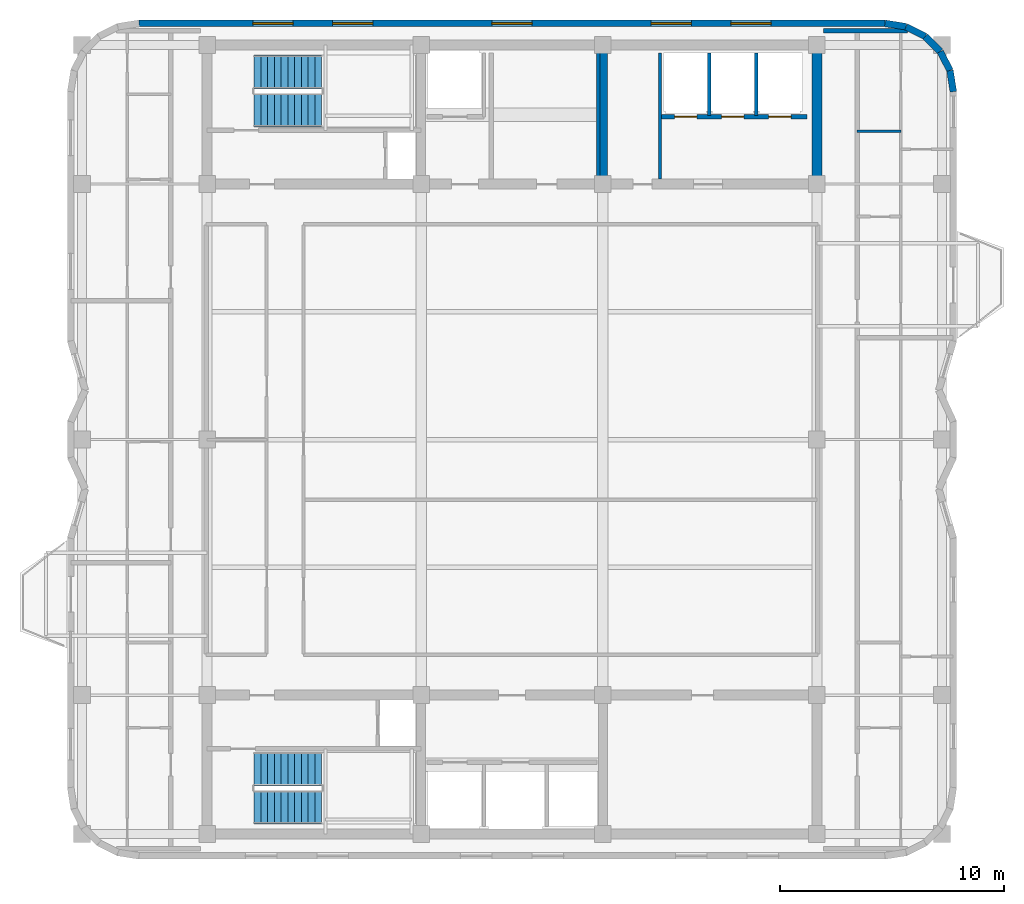
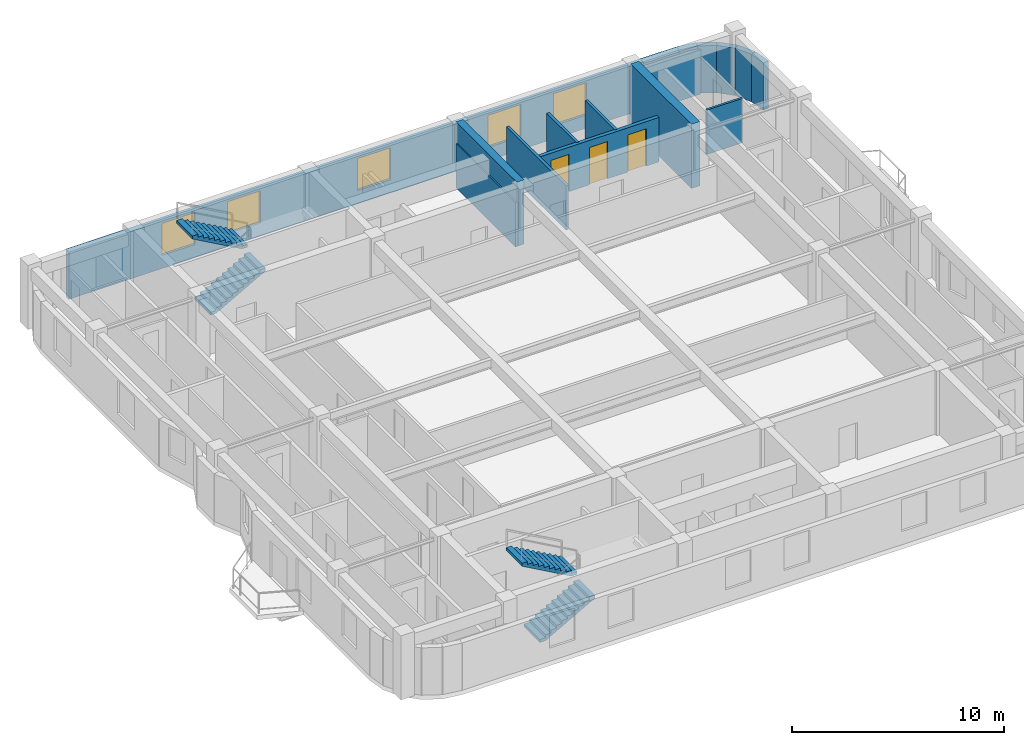
# One storey, part 6 of 8: 15 walls, 5 windows, 4 stair flights, 3 doors, 8 openings, 2 elements without a shape of their own.
"""IFC4 building model written with IfcOpenShell, lengths in metres."""

import ifcopenshell
import ifcopenshell.guid

model = None  # the IFC model being written
_history = None  # IfcOwnerHistory: only IFC2X3 demands one
_inside = {}  # id of a spatial element -> (the spatial element, [elements in it])
_under = {}  # id of a project, library or spatial element -> (it, [spatial elements below it])
_declared = {}  # id of a project -> (the project, [libraries it declares])
_typed = {}  # id of a type object -> (the type object, [elements of that type])
_made_of = {}  # id of a material, layer set ... -> (it, [elements and type objects made of it])


def new_model(schema):
    """Start an empty IFC model of exactly this schema.

    Asked for "IFC4X3", IfcOpenShell would pick the latest addendum, in which some entities
    have other attributes; the version numbers below select the first issue.
    IFC2X3 requires an IfcOwnerHistory on every rooted entity: one is made here for all.
    """
    global model, _history
    if schema == "IFC4X3":
        model = ifcopenshell.file(schema_version=(4, 3, 0, 0))
    else:
        model = ifcopenshell.file(schema=schema)
    _inside.clear()
    _under.clear()
    _declared.clear()
    _typed.clear()
    _made_of.clear()
    _history = None
    if model.schema == "IFC2X3":
        org = make("IfcOrganization", Name="unknown")
        user = make(
            "IfcPersonAndOrganization",
            ThePerson=make("IfcPerson", FamilyName="unknown"),
            TheOrganization=org,
        )
        app = make(
            "IfcApplication",
            ApplicationDeveloper=org,
            Version="unknown",
            ApplicationFullName="unknown",
            ApplicationIdentifier="unknown",
        )
        _history = make(
            "IfcOwnerHistory",
            OwningUser=user,
            OwningApplication=app,
            ChangeAction="ADDED",
            CreationDate=0,
        )
    return model


def make(cls, **values):
    """One entity of the class cls with the attributes given. An attribute that is None is left unset."""
    return model.create_entity(
        cls, **{name: value for name, value in values.items() if value is not None}
    )


def rooted(cls, **values):
    """An entity with a GlobalId (a new one), such as an element, a storey or a relation."""
    return make(cls, GlobalId=ifcopenshell.guid.new(), OwnerHistory=_history, **values)


def si_unit(unit_type, name, prefix=None):
    """IfcSIUnit, for example si_unit("LENGTHUNIT", "METRE", prefix="MILLI")."""
    return make("IfcSIUnit", UnitType=unit_type, Prefix=prefix, Name=name)


def assignment(units):
    """IfcUnitAssignment: the units of a project."""
    return None if units is None else make("IfcUnitAssignment", Units=units)


def point(xyz):
    """IfcCartesianPoint."""
    return None if xyz is None else make("IfcCartesianPoint", Coordinates=xyz)


def direction(xyz):
    """IfcDirection."""
    return None if xyz is None else make("IfcDirection", DirectionRatios=xyz)


def frame(location, z_axis=None, x_axis=None):
    """IfcAxis2Placement3D, a coordinate frame: its origin and axes. An axis left out is left unset."""
    return make(
        "IfcAxis2Placement3D",
        Location=point(location),
        Axis=direction(z_axis),
        RefDirection=direction(x_axis),
    )


def frame_2d(location, x_axis=None):
    """IfcAxis2Placement2D, a coordinate frame in the plane: its origin and x axis."""
    return make(
        "IfcAxis2Placement2D", Location=point(location), RefDirection=direction(x_axis)
    )


def origin():
    """The frame at (0, 0, 0) with its axes left unset."""
    return frame((0.0, 0.0, 0.0))


def place(relative_to, where):
    """IfcLocalPlacement: puts the frame where relative to a parent placement (None: the world)."""
    return make(
        "IfcLocalPlacement", PlacementRelTo=relative_to, RelativePlacement=where
    )


def context(
    kind, dimensions, precision=None, world=None, true_north=None, identifier=None
):
    """IfcGeometricRepresentationContext, for example the 3D "Model" context."""
    return make(
        "IfcGeometricRepresentationContext",
        ContextIdentifier=identifier,
        ContextType=kind,
        CoordinateSpaceDimension=dimensions,
        Precision=precision,
        WorldCoordinateSystem=world,
        TrueNorth=true_north,
    )


def subcontext(parent, identifier, kind, view, scale=None):
    """IfcGeometricRepresentationSubContext, for example "Body" below "Model"."""
    return make(
        "IfcGeometricRepresentationSubContext",
        ContextIdentifier=identifier,
        ContextType=kind,
        ParentContext=parent,
        TargetScale=scale,
        TargetView=view,
    )


def project(units=None, contexts=None):
    """IfcProject with its units and contexts."""
    return rooted(
        "IfcProject",
        Name="project",
        RepresentationContexts=contexts,
        UnitsInContext=assignment(units),
    )


def spatial(cls, under=None, at=None, **own):
    """A site, building, storey or space (cls), placed at a placement, below another one or the project."""
    s = rooted(cls, ObjectPlacement=at, **own)
    if under is not None:
        _under.setdefault(under.id(), (under, []))[1].append(s)
    return s


def polyline(points):
    """IfcPolyline through the points."""
    return make("IfcPolyline", Points=[point(p) for p in points])


def profile(cls, at=None, kind="AREA", **sizes):
    """A parametric profile (cls). Its sizes go by their IFC names, for example OverallWidth=200.0."""
    return make(cls, ProfileType=kind, Position=at, **sizes)


def rectangle(**sizes):
    """IfcRectangleProfileDef."""
    return profile("IfcRectangleProfileDef", **sizes)


def outline(outer, holes=None, kind="AREA"):
    """IfcArbitraryClosedProfileDef: a profile drawn as a closed curve; with holes, ...WithVoids."""
    if holes is None:
        return make("IfcArbitraryClosedProfileDef", ProfileType=kind, OuterCurve=outer)
    return make(
        "IfcArbitraryProfileDefWithVoids",
        ProfileType=kind,
        OuterCurve=outer,
        InnerCurves=holes,
    )


def extrude(swept, where, along, depth):
    """IfcExtrudedAreaSolid: the profile swept, set in the frame where, extruded along a direction by depth."""
    return make(
        "IfcExtrudedAreaSolid",
        SweptArea=swept,
        Position=where,
        ExtrudedDirection=direction(along),
        Depth=depth,
    )


def shape(context_of_items, identifier, shape_type, items):
    """IfcShapeRepresentation: the items that make up one representation, for example the "Body"."""
    return make(
        "IfcShapeRepresentation",
        ContextOfItems=context_of_items,
        RepresentationIdentifier=identifier,
        RepresentationType=shape_type,
        Items=items,
    )


def material(Name=None, Category=None):
    """IfcMaterial."""
    return make("IfcMaterial", Name=Name, Category=Category)


def layer(
    of_material, thickness, ventilated=None, Name=None, Category=None, Priority=None
):
    """IfcMaterialLayer: one layer of a wall or slab, of a material (None: an air gap)."""
    return make(
        "IfcMaterialLayer",
        Material=of_material,
        LayerThickness=thickness,
        IsVentilated=ventilated,
        Name=Name,
        Category=Category,
        Priority=Priority,
    )


def layer_set(layers, Name=None):
    """IfcMaterialLayerSet."""
    return make("IfcMaterialLayerSet", MaterialLayers=layers, LayerSetName=Name)


def made_of(thing, what):
    """Note that an element or type object is made of a material, layer set ...; save() writes the relation."""
    if what is not None:
        _made_of.setdefault(what.id(), (what, []))[1].append(thing)
    return thing


def type_object(cls, material=None, **own):
    """A type object (cls), such as IfcWallType, which elements share."""
    return made_of(rooted(cls, **own), material)


def element(
    cls,
    number,
    at=None,
    inside=None,
    cuts=None,
    type_object=None,
    material=None,
    context=None,
    identifier="Body",
    shape_type=None,
    held_by="IfcProductDefinitionShape",
    body=None,
    shapes=None,
    **own,
):
    """One element of the class cls, such as IfcWall. Its Tag is "e" and its number.

    at: its placement. inside: the storey or other place that contains it. cuts: it is an
    opening in that element (IfcRelVoidsElement). A single representation is given by context,
    identifier, shape_type and body (its items); several are given by shapes. held_by: the class
    of the entity that holds the representations. save() writes the other relations.
    """
    e = rooted(cls, Tag="e%d" % number, ObjectPlacement=at, **own)
    if body is not None:
        shapes = [shape(context, identifier, shape_type, body)]
    if shapes is not None:
        e.Representation = make(held_by, Representations=shapes)
    if inside is not None:
        _inside.setdefault(inside.id(), (inside, []))[1].append(e)
    if cuts is not None:
        rooted(
            "IfcRelVoidsElement", RelatingBuildingElement=cuts, RelatedOpeningElement=e
        )
    if type_object is not None:
        _typed.setdefault(type_object.id(), (type_object, []))[1].append(e)
    return made_of(e, material)


def fill(opening, filler):
    """IfcRelFillsElement: the door or window that sits in an opening."""
    return rooted(
        "IfcRelFillsElement",
        RelatingOpeningElement=opening,
        RelatedBuildingElement=filler,
    )


def aggregate(whole, parts):
    """IfcRelAggregates: a whole, such as a stair, and the parts it consists of."""
    return rooted("IfcRelAggregates", RelatingObject=whole, RelatedObjects=parts)


def save(model, path):
    """Write the relations noted so far, then the file.

    IfcRelAggregates (storeys below a building ...), IfcRelContainedInSpatialStructure (elements
    in a storey), IfcRelDefinesByType, IfcRelAssociatesMaterial and IfcRelDeclares: one each for
    every whole, place, type object, material and project.
    """
    for whole, parts in _under.values():
        aggregate(whole, parts)
    for where, things in _inside.values():
        rooted(
            "IfcRelContainedInSpatialStructure",
            RelatedElements=things,
            RelatingStructure=where,
        )
    for kind, things in _typed.values():
        rooted("IfcRelDefinesByType", RelatedObjects=things, RelatingType=kind)
    for what, things in _made_of.values():
        rooted("IfcRelAssociatesMaterial", RelatedObjects=things, RelatingMaterial=what)
    for by, libraries in _declared.values():
        rooted("IfcRelDeclares", RelatingContext=by, RelatedDefinitions=libraries)
    model.write(path)


model = new_model("IFC4")

# Units and contexts
model_context = context("Model", 3, precision=1e-05, world=origin(), true_north=direction((0.0, 1.0)))
body_context = subcontext(model_context, "Body", "Model", "MODEL_VIEW")
ifc_project = project(units=[si_unit("LENGTHUNIT", "METRE"), si_unit("AREAUNIT", "SQUARE_METRE"), si_unit("VOLUMEUNIT", "CUBIC_METRE"), si_unit("PLANEANGLEUNIT", "RADIAN"), si_unit("MASSUNIT", "GRAM", prefix="KILO")], contexts=[model_context])

# Site, building, storey
site_placement = place(None, origin())
site = spatial("IfcSite", under=ifc_project, at=site_placement, CompositionType="ELEMENT")
building_placement = place(site_placement, origin())
building = spatial("IfcBuilding", under=site, at=building_placement, Name="Svetorya Sky Lyceum", CompositionType="ELEMENT")
storey_placement = place(building_placement, frame((0.0, 0.0, 286.10009765625)))
storey = spatial("IfcBuildingStorey", under=building, at=storey_placement, Name="L72", CompositionType="ELEMENT", Elevation=286.10009765625)

# Walls
ifc_material_1 = material(Name="Concrete C40/50", Category="concrete")
ifc_layer_1 = layer(ifc_material_1, 0.39990234375)
ifc_layer_set_1 = layer_set([ifc_layer_1], Name="Concrete C40/50")
wall_type_1 = type_object("IfcWallType", Name="WL-CORE-400", PredefinedType="SHEAR", material=ifc_layer_set_1)
wall_1_placement = place(storey_placement, frame((43.25, 39.824951171875, 0.0), z_axis=(0.0, 0.0, 1.0), x_axis=(0.0, 1.0, 0.0)))
element("IfcWall", 1, at=wall_1_placement, inside=storey, type_object=wall_type_1, Name="L72 NC Internal Shear Web WEB2", PredefinedType="SHEAR", context=body_context, shape_type="SweptSolid", body=[
    extrude(rectangle(XDim=5.75, YDim=0.39990234375, at=frame_2d((2.875, 0.0))), origin(), (0.0, 0.0, 1.0), 3.699951171875),
])
ifc_material_2 = material(Name="Concrete C50/60", Category="concrete")
ifc_layer_2 = layer(ifc_material_2, 0.449951171875)
ifc_layer_set_2 = layer_set([ifc_layer_2], Name="Concrete C50/60")
wall_type_2 = type_object("IfcWallType", Name="WL-CORE-450", PredefinedType="SHEAR", material=ifc_layer_set_2)
wall_2_placement = place(storey_placement, frame((52.800048828125, 39.824951171875, 0.0), z_axis=(0.0, 0.0, 1.0), x_axis=(0.0, 1.0, 0.0)))
element("IfcWall", 2, at=wall_2_placement, inside=storey, type_object=wall_type_2, Name="L72 NC East Core Shear Wall", PredefinedType="SHEAR", context=body_context, shape_type="SweptSolid", body=[
    extrude(rectangle(XDim=5.75, YDim=0.449951171875, at=frame_2d((2.875, 0.0))), origin(), (0.0, 0.0, 1.0), 3.699951171875),
])
ifc_material_3 = material(Name="Putilovo limestone rainscreen on autoclaved cellular masonry", Category="masonry")
ifc_layer_3 = layer(ifc_material_3, 0.300048828125)
ifc_layer_set_3 = layer_set([ifc_layer_3], Name="Putilovo limestone rainscreen on autoclaved cellular masonry")
wall_type_3 = type_object("IfcWallType", Name="WL-EXT-300", PredefinedType="SOLIDWALL", material=ifc_layer_set_3)
wall_3_placement = place(storey_placement, frame((58.889892578125, 43.719970703125, 0.0), z_axis=(0.0, 0.0, 1.0), x_axis=(-0.156304114255, 0.987708977314, 0.0)))
element("IfcWall", 3, at=wall_3_placement, inside=storey, type_object=wall_type_3, Name="L72 Limestone Exterior Wall 19M", PredefinedType="SOLIDWALL", context=body_context, shape_type="SweptSolid", body=[
    extrude(rectangle(XDim=0.954345703125, YDim=0.300048828125, at=frame_2d((0.47705078125, 0.0))), origin(), (0.0, 0.0, 1.0), 2.72998046875),
])
wall_4_placement = place(storey_placement, frame((58.74072265625, 44.66259765625, 0.0), z_axis=(0.0, 0.0, 1.0), x_axis=(-0.45395644796, 0.891023873617, 0.0)))
element("IfcWall", 4, at=wall_4_placement, inside=storey, type_object=wall_type_3, Name="L72 Limestone Exterior Wall 20M", PredefinedType="SOLIDWALL", context=body_context, shape_type="SweptSolid", body=[
    extrude(rectangle(XDim=0.9541015625, YDim=0.300048828125, at=frame_2d((0.47705078125, 0.0))), origin(), (0.0, 0.0, 1.0), 2.72998046875),
])
for number, where, z_axis, x_axis, name in (
    (5, (58.3076171875, 45.5126953125, 0.0), (0.0, 0.0, 1.0), (-0.707106781187, 0.707106781187, 0.0), "L72 Limestone Exterior Wall 21M"),
    (6, (57.6328125, 46.1875, 0.0), (0.0, 0.0, 1.0), (-0.891076589373, 0.453852962833, 0.0), "L72 Limestone Exterior Wall 22M"),
):
    element("IfcWall", number, at=place(storey_placement, frame(where, z_axis=z_axis, x_axis=x_axis)), inside=storey, type_object=wall_type_3, Name=name, PredefinedType="SOLIDWALL", context=body_context, shape_type="SweptSolid", body=[
        extrude(rectangle(XDim=0.954345703125, YDim=0.300048828125, at=frame_2d((0.47705078125, 0.0))), origin(), (0.0, 0.0, 1.0), 2.72998046875),
    ])
wall_5_placement = place(storey_placement, frame((56.782470703125, 46.62060546875, 0.0), z_axis=(0.0, 0.0, 1.0), x_axis=(-0.987663181641, 0.156593229835, 0.0)))
element("IfcWall", 7, at=wall_5_placement, inside=storey, type_object=wall_type_3, Name="L72 Limestone Exterior Wall 23M", PredefinedType="SOLIDWALL", context=body_context, shape_type="SweptSolid", body=[
    extrude(rectangle(XDim=0.9541015625, YDim=0.300048828125, at=frame_2d((0.47705078125, 0.0))), origin(), (0.0, 0.0, 1.0), 2.72998046875),
])

# Wall, openings, windows
wall_6_placement = place(storey_placement, frame((55.840087890625, 46.77001953125, 0.0), z_axis=(0.0, 0.0, 1.0), x_axis=(-1.0, 0.0, 0.0)))
wall_6 = element("IfcWall", 8, at=wall_6_placement, inside=storey, type_object=wall_type_3, Name="L72 Limestone Exterior Wall 24M", PredefinedType="SOLIDWALL", context=body_context, shape_type="SweptSolid", body=[
    extrude(rectangle(XDim=33.280029296875, YDim=0.300048828125, at=frame_2d((16.64013671875, 0.0))), origin(), (0.0, 0.0, 1.0), 2.72998046875),
])
opening_1_placement = place(wall_6_placement, frame((5.080078125, 0.0, 0.760009765625)))
opening_1 = element("IfcOpeningElement", 9, at=opening_1_placement, cuts=wall_6, Name="Opening W-R1", PredefinedType="OPENING", context=body_context, shape_type="SweptSolid", body=[
    extrude(rectangle(XDim=1.800048828125, YDim=1.85009765625, at=frame_2d((0.89990234375, 0.925048828125))), frame((0.0, 0.159912109375, 0.0), z_axis=(0.0, -1.0, 0.0), x_axis=(1.0, 0.0, 0.0)), (0.0, 0.0, 1.0), 0.320068359375),
])
opening_2_placement = place(wall_6_placement, frame((8.63330078125, 0.0, 0.760009765625)))
opening_2 = element("IfcOpeningElement", 10, at=opening_2_placement, cuts=wall_6, Name="Opening W-R1", PredefinedType="OPENING", context=body_context, shape_type="SweptSolid", body=[
    extrude(rectangle(XDim=1.800048828125, YDim=1.85009765625, at=frame_2d((0.89990234375, 0.925048828125))), frame((0.0, 0.159912109375, 0.0), z_axis=(0.0, -1.0, 0.0), x_axis=(1.0, 0.0, 0.0)), (0.0, 0.0, 1.0), 0.320068359375),
])
opening_3_placement = place(wall_6_placement, frame((15.739990234375, 0.0, 0.760009765625)))
opening_3 = element("IfcOpeningElement", 11, at=opening_3_placement, cuts=wall_6, Name="Opening W-R1", PredefinedType="OPENING", context=body_context, shape_type="SweptSolid", body=[
    extrude(rectangle(XDim=1.800048828125, YDim=1.85009765625, at=frame_2d((0.89990234375, 0.925048828125))), frame((0.0, 0.159912109375, 0.0), z_axis=(0.0, -1.0, 0.0), x_axis=(1.0, 0.0, 0.0)), (0.0, 0.0, 1.0), 0.320068359375),
])
opening_4_placement = place(wall_6_placement, frame((22.8466796875, 0.0, 0.760009765625)))
opening_4 = element("IfcOpeningElement", 12, at=opening_4_placement, cuts=wall_6, Name="Opening W-R1", PredefinedType="OPENING", context=body_context, shape_type="SweptSolid", body=[
    extrude(rectangle(XDim=1.800048828125, YDim=1.85009765625, at=frame_2d((0.89990234375, 0.925048828125))), frame((0.0, 0.159912109375, 0.0), z_axis=(0.0, -1.0, 0.0), x_axis=(1.0, 0.0, 0.0)), (0.0, 0.0, 1.0), 0.320068359375),
])
opening_5_placement = place(wall_6_placement, frame((26.39990234375, 0.0, 0.760009765625)))
opening_5 = element("IfcOpeningElement", 13, at=opening_5_placement, cuts=wall_6, Name="Opening W-R1", PredefinedType="OPENING", context=body_context, shape_type="SweptSolid", body=[
    extrude(rectangle(XDim=1.800048828125, YDim=1.85009765625, at=frame_2d((0.89990234375, 0.925048828125))), frame((0.0, 0.159912109375, 0.0), z_axis=(0.0, -1.0, 0.0), x_axis=(1.0, 0.0, 0.0)), (0.0, 0.0, 1.0), 0.320068359375),
])
ifc_material_4 = material(Name="Thermally broken aluminium frame with triple low-E glazing", Category="aluminium")
window_type = type_object("IfcWindowType", Name="WN-RES-180", PartitioningType="DOUBLE_PANEL_VERTICAL", PredefinedType="WINDOW", material=ifc_material_4)
window_1_placement = place(opening_1_placement, origin())
window_1 = element("IfcWindow", 14, at=window_1_placement, inside=storey, type_object=window_type, Name="L72 Facade Window W-R1.24M.1", OverallHeight=1.85009765625, OverallWidth=1.800048828125, PartitioningType="SINGLE_PANEL", PredefinedType="WINDOW", context=body_context, shape_type="SweptSolid", body=[
    extrude(rectangle(XDim=1.800048828125, YDim=1.85009765625, at=frame_2d((0.89990234375, 0.925048828125))), frame((0.0, 0.030029296875, 0.0), z_axis=(0.0, -1.0, 0.0), x_axis=(1.0, 0.0, 0.0)), (0.0, 0.0, 1.0), 0.06005859375),
])
fill(opening_1, window_1)
window_2_placement = place(opening_2_placement, origin())
window_2 = element("IfcWindow", 15, at=window_2_placement, inside=storey, type_object=window_type, Name="L72 Facade Window W-R1.24M.2", OverallHeight=1.85009765625, OverallWidth=1.800048828125, PartitioningType="SINGLE_PANEL", PredefinedType="WINDOW", context=body_context, shape_type="SweptSolid", body=[
    extrude(rectangle(XDim=1.800048828125, YDim=1.85009765625, at=frame_2d((0.89990234375, 0.925048828125))), frame((0.0, 0.030029296875, 0.0), z_axis=(0.0, -1.0, 0.0), x_axis=(1.0, 0.0, 0.0)), (0.0, 0.0, 1.0), 0.06005859375),
])
fill(opening_2, window_2)
window_3_placement = place(opening_3_placement, origin())
window_3 = element("IfcWindow", 16, at=window_3_placement, inside=storey, type_object=window_type, Name="L72 Facade Window W-R1.24M.3", OverallHeight=1.85009765625, OverallWidth=1.800048828125, PartitioningType="SINGLE_PANEL", PredefinedType="WINDOW", context=body_context, shape_type="SweptSolid", body=[
    extrude(rectangle(XDim=1.800048828125, YDim=1.85009765625, at=frame_2d((0.89990234375, 0.925048828125))), frame((0.0, 0.030029296875, 0.0), z_axis=(0.0, -1.0, 0.0), x_axis=(1.0, 0.0, 0.0)), (0.0, 0.0, 1.0), 0.06005859375),
])
fill(opening_3, window_3)
window_4_placement = place(opening_4_placement, origin())
window_4 = element("IfcWindow", 17, at=window_4_placement, inside=storey, type_object=window_type, Name="L72 Facade Window W-R1.24M.4", OverallHeight=1.85009765625, OverallWidth=1.800048828125, PartitioningType="SINGLE_PANEL", PredefinedType="WINDOW", context=body_context, shape_type="SweptSolid", body=[
    extrude(rectangle(XDim=1.800048828125, YDim=1.85009765625, at=frame_2d((0.89990234375, 0.925048828125))), frame((0.0, 0.030029296875, 0.0), z_axis=(0.0, -1.0, 0.0), x_axis=(1.0, 0.0, 0.0)), (0.0, 0.0, 1.0), 0.06005859375),
])
fill(opening_4, window_4)
window_5_placement = place(opening_5_placement, origin())
window_5 = element("IfcWindow", 18, at=window_5_placement, inside=storey, type_object=window_type, Name="L72 Facade Window W-R1.24M.5", OverallHeight=1.85009765625, OverallWidth=1.800048828125, PartitioningType="SINGLE_PANEL", PredefinedType="WINDOW", context=body_context, shape_type="SweptSolid", body=[
    extrude(rectangle(XDim=1.800048828125, YDim=1.85009765625, at=frame_2d((0.89990234375, 0.925048828125))), frame((0.0, 0.030029296875, 0.0), z_axis=(0.0, -1.0, 0.0), x_axis=(1.0, 0.0, 0.0)), (0.0, 0.0, 1.0), 0.06005859375),
])
fill(opening_5, window_5)

# Walls
ifc_material_5 = material(Name="Twin-stud galvanized framing with double fireboard", Category="gypsum")
ifc_layer_4 = layer(ifc_material_5, 0.1201171875)
ifc_layer_set_4 = layer_set([ifc_layer_4], Name="Twin-stud galvanized framing with double fireboard")
wall_type_4 = type_object("IfcWallType", Name="WL-PART-120", PredefinedType="PARTITIONING", material=ifc_layer_set_4)
wall_7_placement = place(storey_placement, frame((54.60009765625, 41.949951171875, 0.0), z_axis=(0.0, 0.0, 1.0), x_axis=(1.0, 0.0, 0.0)))
element("IfcWall", 19, at=wall_7_placement, inside=storey, type_object=wall_type_4, Name="L72 Interior Partition E2-WH2", PredefinedType="PARTITIONING", context=body_context, shape_type="SweptSolid", body=[
    extrude(rectangle(XDim=1.949951171875, YDim=0.1201171875, at=frame_2d((0.97509765625, 0.0))), origin(), (0.0, 0.0, 1.0), 2.559814453125),
])
ifc_material_6 = material(Name="Autoclaved cellular masonry blockwork with acoustic render", Category="masonry")
ifc_layer_5 = layer(ifc_material_6, 0.14990234375)
ifc_layer_set_5 = layer_set([ifc_layer_5], Name="Autoclaved cellular masonry blockwork with acoustic render")
wall_type_5 = type_object("IfcWallType", Name="WL-PART-150", PredefinedType="PARTITIONING", material=ifc_layer_set_5)
for number, where, z_axis, x_axis, name in (
    (20, (43.050048828125, 39.820068359375, 0.0), (0.0, 0.0, 1.0), (0.0, 1.0, 0.0), "L72 Interior Partition NC-FPM-END"),
    (21, (45.800048828125, 39.820068359375, 0.0), (0.0, 0.0, 1.0), (0.0, 1.0, 0.0), "L72 Interior Partition NC-PM3-FULL"),
):
    element("IfcWall", number, at=place(storey_placement, frame(where, z_axis=z_axis, x_axis=x_axis)), inside=storey, type_object=wall_type_5, Name=name, PredefinedType="PARTITIONING", context=body_context, shape_type="SweptSolid", body=[
        extrude(rectangle(XDim=5.6298828125, YDim=0.14990234375, at=frame_2d((2.81494140625, 0.0))), origin(), (0.0, 0.0, 1.0), 2.559814453125),
    ])
for number, where, z_axis, x_axis, name in (
    (22, (48.0, 42.64990234375, 0.0), (0.0, 0.0, 1.0), (0.0, 1.0, 0.0), "L72 Interior Partition NC-PH-D1"),
    (23, (50.10009765625, 42.64990234375, 0.0), (0.0, 0.0, 1.0), (0.0, 1.0, 0.0), "L72 Interior Partition NC-PH-D2"),
):
    element("IfcWall", number, at=place(storey_placement, frame(where, z_axis=z_axis, x_axis=x_axis)), inside=storey, type_object=wall_type_5, Name=name, PredefinedType="PARTITIONING", context=body_context, shape_type="SweptSolid", body=[
        extrude(rectangle(XDim=2.800048828125, YDim=0.14990234375, at=frame_2d((1.39990234375, 0.0))), origin(), (0.0, 0.0, 1.0), 2.559814453125),
    ])

# Wall, openings, doors
ifc_material_7 = material(Name="Autoclaved cellular masonry blockwork with gypsum plaster", Category="masonry")
ifc_layer_6 = layer(ifc_material_7, 0.199951171875)
ifc_layer_set_6 = layer_set([ifc_layer_6], Name="Autoclaved cellular masonry blockwork with gypsum plaster")
wall_type_6 = type_object("IfcWallType", Name="WL-PART-200", PredefinedType="PARTITIONING", material=ifc_layer_set_6)
wall_8_placement = place(storey_placement, frame((52.35009765625, 42.60009765625, 0.0), z_axis=(0.0, 0.0, 1.0), x_axis=(-1.0, 0.0, 0.0)))
wall_8 = element("IfcWall", 24, at=wall_8_placement, inside=storey, type_object=wall_type_6, Name="L72 Interior Partition NC-PHEW", PredefinedType="PARTITIONING", context=body_context, shape_type="SweptSolid", body=[
    extrude(rectangle(XDim=6.5, YDim=0.199951171875, at=frame_2d((3.25, 0.0))), origin(), (0.0, 0.0, 1.0), 2.559814453125),
])
opening_6_placement = place(wall_8_placement, frame((4.89990234375, 0.0, 0.0)))
opening_6 = element("IfcOpeningElement", 25, at=opening_6_placement, cuts=wall_8, Name="Opening LD-P1", PredefinedType="OPENING", context=body_context, shape_type="SweptSolid", body=[
    extrude(rectangle(XDim=1.0, YDim=2.14990234375, at=frame_2d((0.5, 1.074951171875))), frame((0.0, 0.10986328125, 0.0), z_axis=(0.0, -1.0, 0.0), x_axis=(1.0, 0.0, 0.0)), (0.0, 0.0, 1.0), 0.219970703125),
])
opening_7_placement = place(wall_8_placement, frame((2.800048828125, 0.0, 0.0)))
opening_7 = element("IfcOpeningElement", 26, at=opening_7_placement, cuts=wall_8, Name="Opening LD-P1", PredefinedType="OPENING", context=body_context, shape_type="SweptSolid", body=[
    extrude(rectangle(XDim=1.0, YDim=2.14990234375, at=frame_2d((0.5, 1.074951171875))), frame((0.0, 0.10986328125, 0.0), z_axis=(0.0, -1.0, 0.0), x_axis=(1.0, 0.0, 0.0)), (0.0, 0.0, 1.0), 0.219970703125),
])
opening_8_placement = place(wall_8_placement, frame((0.699951171875, 0.0, 0.0)))
opening_8 = element("IfcOpeningElement", 27, at=opening_8_placement, cuts=wall_8, Name="Opening LD-P1", PredefinedType="OPENING", context=body_context, shape_type="SweptSolid", body=[
    extrude(rectangle(XDim=1.0, YDim=2.14990234375, at=frame_2d((0.5, 1.074951171875))), frame((0.0, 0.10986328125, 0.0), z_axis=(0.0, -1.0, 0.0), x_axis=(1.0, 0.0, 0.0)), (0.0, 0.0, 1.0), 0.219970703125),
])
ifc_material_8 = material(Name="Champagne-anodized stainless passenger lift landing door")
door_type = type_object("IfcDoorType", Name="DR-LIFT-1000", OperationType="SLIDING_TO_LEFT", PredefinedType="DOOR", material=ifc_material_8)
door_1_placement = place(opening_6_placement, origin())
door_1 = element("IfcDoor", 28, at=door_1_placement, inside=storey, type_object=door_type, Name="L72 Passenger Lift PH1 Landing Door", OperationType="SLIDING_TO_LEFT", OverallHeight=2.14990234375, OverallWidth=1.0, PredefinedType="DOOR", context=body_context, shape_type="SweptSolid", body=[
    extrude(rectangle(XDim=1.0, YDim=2.14990234375, at=frame_2d((0.5, 1.074951171875))), frame((0.0, 0.02490234375, 0.0), z_axis=(0.0, -1.0, 0.0), x_axis=(1.0, 0.0, 0.0)), (0.0, 0.0, 1.0), 0.050048828125),
])
fill(opening_6, door_1)
door_2_placement = place(opening_7_placement, origin())
door_2 = element("IfcDoor", 29, at=door_2_placement, inside=storey, type_object=door_type, Name="L72 Passenger Lift PH2 Landing Door", OperationType="SLIDING_TO_LEFT", OverallHeight=2.14990234375, OverallWidth=1.0, PredefinedType="DOOR", context=body_context, shape_type="SweptSolid", body=[
    extrude(rectangle(XDim=1.0, YDim=2.14990234375, at=frame_2d((0.5, 1.074951171875))), frame((0.0, 0.02490234375, 0.0), z_axis=(0.0, -1.0, 0.0), x_axis=(1.0, 0.0, 0.0)), (0.0, 0.0, 1.0), 0.050048828125),
])
fill(opening_7, door_2)
door_3_placement = place(opening_8_placement, origin())
door_3 = element("IfcDoor", 30, at=door_3_placement, inside=storey, type_object=door_type, Name="L72 Passenger Lift PH3 Landing Door", OperationType="SLIDING_TO_LEFT", OverallHeight=2.14990234375, OverallWidth=1.0, PredefinedType="DOOR", context=body_context, shape_type="SweptSolid", body=[
    extrude(rectangle(XDim=1.0, YDim=2.14990234375, at=frame_2d((0.5, 1.074951171875))), frame((0.0, 0.02490234375, 0.0), z_axis=(0.0, -1.0, 0.0), x_axis=(1.0, 0.0, 0.0)), (0.0, 0.0, 1.0), 0.050048828125),
])
fill(opening_8, door_3)

# Wall
wall_9_placement = place(storey_placement, frame((53.10009765625, 46.449951171875, 0.0), z_axis=(0.0, 0.0, 1.0), x_axis=(1.0, 0.0, 0.0)))
element("IfcWall", 31, at=wall_9_placement, inside=storey, type_object=wall_type_6, Name="L72 Interior Partition E-CAP-N", PredefinedType="PARTITIONING", context=body_context, shape_type="SweptSolid", body=[
    extrude(rectangle(XDim=3.75390625, YDim=0.199951171875, at=frame_2d((1.876953125, 0.0))), origin(), (0.0, 0.0, 1.0), 2.559814453125),
])

# Stair, stair flights
stair_type_1 = type_object("IfcStairType", Name="STR-ST-N", PredefinedType="HALF_TURN_STAIR", material=ifc_material_1)
stair_1_placement = place(storey_placement, origin())
stair_1 = element("IfcStair", 32, at=stair_1_placement, inside=storey, type_object=stair_type_1, Name="L72 North Core Smoke-Free Exit Stair N3", PredefinedType="HALF_TURN_STAIR")
stair_flight_type_1 = type_object("IfcStairFlightType", Name="SFL-ST-N", PredefinedType="STRAIGHT", material=ifc_material_1)
stair_flight_1_placement = place(storey_placement, frame((27.699951171875, 42.89990234375, 0.0), z_axis=(0.0, 0.0, 1.0), x_axis=(1.0, 0.0, 0.0)))
stair_flight_1 = element("IfcStairFlight", 33, at=stair_flight_1_placement, type_object=stair_flight_type_1, Name="ST-N flight 1", NumberOfRisers=11, NumberOfTreads=10, PredefinedType="STRAIGHT", RiserHeight=0.168181818, TreadLength=0.3, context=body_context, shape_type="SweptSolid", body=[
    extrude(outline(polyline([(0.0, 0.0), (0.0, 0.168212890625), (0.300048828125, 0.168212890625), (0.300048828125, 0.33642578125), (0.60009765625, 0.33642578125), (0.60009765625, 0.504638671875), (0.89990234375, 0.504638671875), (0.89990234375, 0.672607421875), (1.199951171875, 0.672607421875), (1.199951171875, 0.8408203125), (1.5, 0.8408203125), (1.5, 1.009033203125), (1.800048828125, 1.009033203125), (1.800048828125, 1.17724609375), (2.10009765625, 1.17724609375), (2.10009765625, 1.345458984375), (2.39990234375, 1.345458984375), (2.39990234375, 1.513671875), (2.699951171875, 1.513671875), (2.699951171875, 1.681884765625), (3.0, 1.681884765625), (3.0, 1.85009765625), (3.0, 1.510009765625), (0.306640625, 0.0), (0.0, 0.0)])), frame((0.0, 0.75, 0.0), z_axis=(0.0, -1.0, 0.0), x_axis=(1.0, 0.0, 0.0)), (0.0, 0.0, 1.0), 1.5),
])
stair_flight_2_placement = place(storey_placement, frame((30.699951171875, 44.60009765625, 1.849853515625), z_axis=(0.0, 0.0, 1.0), x_axis=(-1.0, 0.0, 0.0)))
stair_flight_2 = element("IfcStairFlight", 34, at=stair_flight_2_placement, type_object=stair_flight_type_1, Name="ST-N flight 2", NumberOfRisers=11, NumberOfTreads=10, PredefinedType="STRAIGHT", RiserHeight=0.168181818, TreadLength=0.3, context=body_context, shape_type="SweptSolid", body=[
    extrude(outline(polyline([(0.0, 0.0), (0.0, 0.168212890625), (0.300048828125, 0.168212890625), (0.300048828125, 0.33642578125), (0.60009765625, 0.33642578125), (0.60009765625, 0.504638671875), (0.89990234375, 0.504638671875), (0.89990234375, 0.672607421875), (1.199951171875, 0.672607421875), (1.199951171875, 0.8408203125), (1.5, 0.8408203125), (1.5, 1.009033203125), (1.800048828125, 1.009033203125), (1.800048828125, 1.17724609375), (2.10009765625, 1.17724609375), (2.10009765625, 1.345458984375), (2.39990234375, 1.345458984375), (2.39990234375, 1.513671875), (2.699951171875, 1.513671875), (2.699951171875, 1.681884765625), (3.0, 1.681884765625), (3.0, 1.85009765625), (3.0, 1.510009765625), (0.306640625, 0.0), (0.0, 0.0)])), frame((0.0, 0.75, 0.0), z_axis=(0.0, -1.0, 0.0), x_axis=(1.0, 0.0, 0.0)), (0.0, 0.0, 1.0), 1.5),
])
aggregate(stair_1, [stair_flight_1, stair_flight_2])

stair_type_2 = type_object("IfcStairType", Name="STR-ST-S", PredefinedType="HALF_TURN_STAIR", material=ifc_material_1)
stair_2_placement = place(storey_placement, origin())
stair_2 = element("IfcStair", 35, at=stair_2_placement, inside=storey, type_object=stair_type_2, Name="L72 South Core Smoke-Free Exit Stair N2", PredefinedType="HALF_TURN_STAIR")
stair_flight_type_2 = type_object("IfcStairFlightType", Name="SFL-ST-S", PredefinedType="STRAIGHT", material=ifc_material_1)
stair_flight_3_placement = place(storey_placement, frame((27.699951171875, 11.800048828125, 0.0), z_axis=(0.0, 0.0, 1.0), x_axis=(1.0, 0.0, 0.0)))
stair_flight_3 = element("IfcStairFlight", 36, at=stair_flight_3_placement, type_object=stair_flight_type_2, Name="ST-S flight 1", NumberOfRisers=11, NumberOfTreads=10, PredefinedType="STRAIGHT", RiserHeight=0.168181818, TreadLength=0.3, context=body_context, shape_type="SweptSolid", body=[
    extrude(outline(polyline([(0.0, 0.0), (0.0, 0.168212890625), (0.300048828125, 0.168212890625), (0.300048828125, 0.33642578125), (0.60009765625, 0.33642578125), (0.60009765625, 0.504638671875), (0.89990234375, 0.504638671875), (0.89990234375, 0.672607421875), (1.199951171875, 0.672607421875), (1.199951171875, 0.8408203125), (1.5, 0.8408203125), (1.5, 1.009033203125), (1.800048828125, 1.009033203125), (1.800048828125, 1.17724609375), (2.10009765625, 1.17724609375), (2.10009765625, 1.345458984375), (2.39990234375, 1.345458984375), (2.39990234375, 1.513671875), (2.699951171875, 1.513671875), (2.699951171875, 1.681884765625), (3.0, 1.681884765625), (3.0, 1.85009765625), (3.0, 1.510009765625), (0.306640625, 0.0), (0.0, 0.0)])), frame((0.0, 0.75, 0.0), z_axis=(0.0, -1.0, 0.0), x_axis=(1.0, 0.0, 0.0)), (0.0, 0.0, 1.0), 1.5),
])
stair_flight_4_placement = place(storey_placement, frame((30.699951171875, 13.5, 1.849853515625), z_axis=(0.0, 0.0, 1.0), x_axis=(-1.0, 0.0, 0.0)))
stair_flight_4 = element("IfcStairFlight", 37, at=stair_flight_4_placement, type_object=stair_flight_type_2, Name="ST-S flight 2", NumberOfRisers=11, NumberOfTreads=10, PredefinedType="STRAIGHT", RiserHeight=0.168181818, TreadLength=0.3, context=body_context, shape_type="SweptSolid", body=[
    extrude(outline(polyline([(0.0, 0.0), (0.0, 0.168212890625), (0.300048828125, 0.168212890625), (0.300048828125, 0.33642578125), (0.60009765625, 0.33642578125), (0.60009765625, 0.504638671875), (0.89990234375, 0.504638671875), (0.89990234375, 0.672607421875), (1.199951171875, 0.672607421875), (1.199951171875, 0.8408203125), (1.5, 0.8408203125), (1.5, 1.009033203125), (1.800048828125, 1.009033203125), (1.800048828125, 1.17724609375), (2.10009765625, 1.17724609375), (2.10009765625, 1.345458984375), (2.39990234375, 1.345458984375), (2.39990234375, 1.513671875), (2.699951171875, 1.513671875), (2.699951171875, 1.681884765625), (3.0, 1.681884765625), (3.0, 1.85009765625), (3.0, 1.510009765625), (0.306640625, 0.0), (0.0, 0.0)])), frame((0.0, 0.75, 0.0), z_axis=(0.0, -1.0, 0.0), x_axis=(1.0, 0.0, 0.0)), (0.0, 0.0, 1.0), 1.5),
])
aggregate(stair_2, [stair_flight_3, stair_flight_4])

save(model, "model.ifc")
